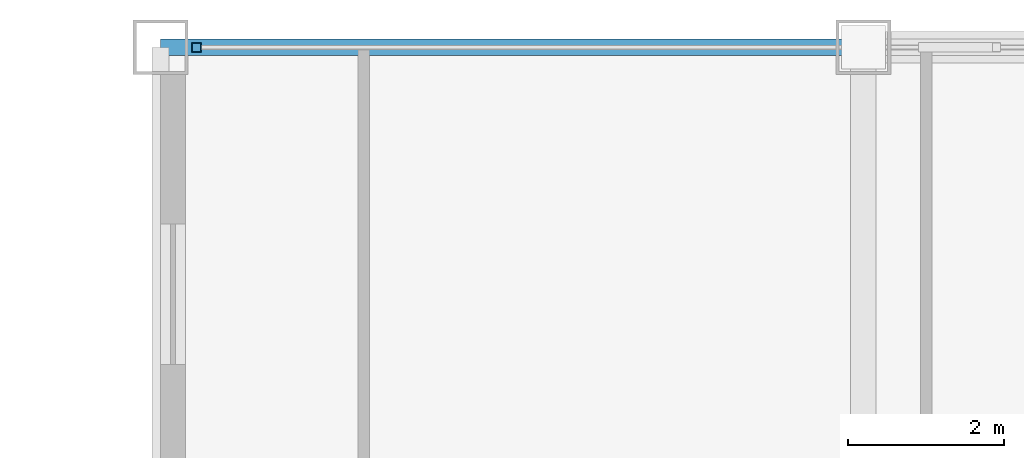
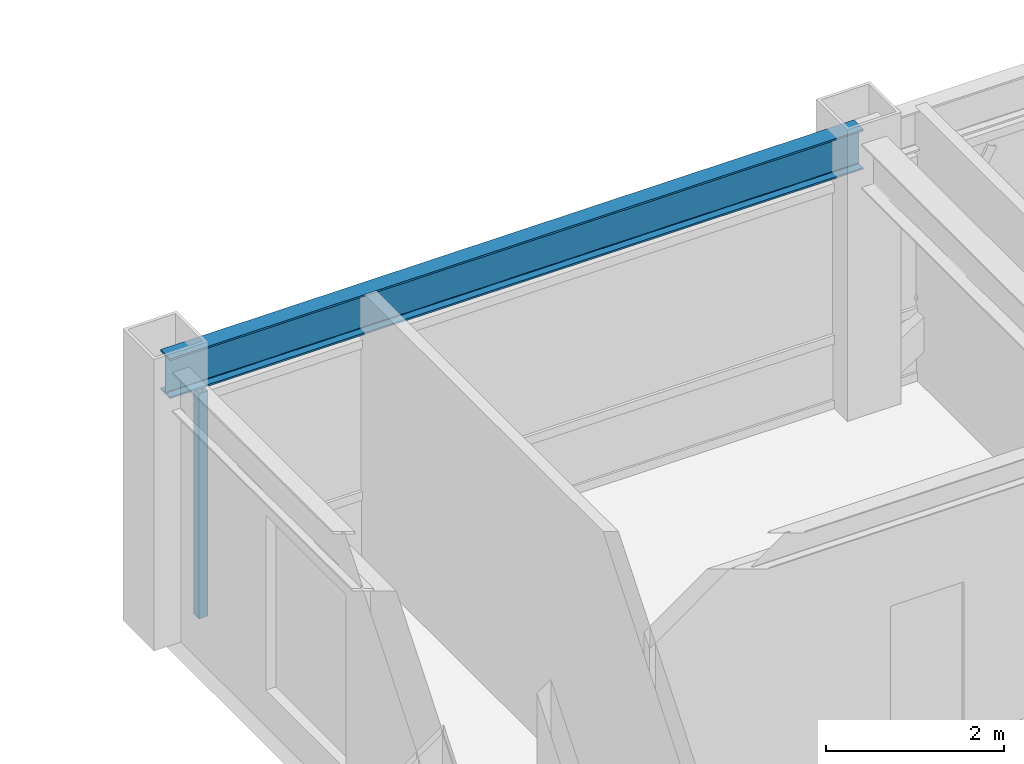
# One storey, part 16 of 29: 1 beam, 1 member, 1 element without a shape of its own.
"""IFC4 building model written with IfcOpenShell, lengths in metres."""

import ifcopenshell
import ifcopenshell.guid

model = None  # the IFC model being written
_history = None  # IfcOwnerHistory: only IFC2X3 demands one
_inside = {}  # id of a spatial element -> (the spatial element, [elements in it])
_under = {}  # id of a project, library or spatial element -> (it, [spatial elements below it])
_declared = {}  # id of a project -> (the project, [libraries it declares])
_typed = {}  # id of a type object -> (the type object, [elements of that type])
_made_of = {}  # id of a material, layer set ... -> (it, [elements and type objects made of it])


def new_model(schema):
    """Start an empty IFC model of exactly this schema.

    Asked for "IFC4X3", IfcOpenShell would pick the latest addendum, in which some entities
    have other attributes; the version numbers below select the first issue.
    IFC2X3 requires an IfcOwnerHistory on every rooted entity: one is made here for all.
    """
    global model, _history
    if schema == "IFC4X3":
        model = ifcopenshell.file(schema_version=(4, 3, 0, 0))
    else:
        model = ifcopenshell.file(schema=schema)
    _inside.clear()
    _under.clear()
    _declared.clear()
    _typed.clear()
    _made_of.clear()
    _history = None
    if model.schema == "IFC2X3":
        org = make("IfcOrganization", Name="unknown")
        user = make(
            "IfcPersonAndOrganization",
            ThePerson=make("IfcPerson", FamilyName="unknown"),
            TheOrganization=org,
        )
        app = make(
            "IfcApplication",
            ApplicationDeveloper=org,
            Version="unknown",
            ApplicationFullName="unknown",
            ApplicationIdentifier="unknown",
        )
        _history = make(
            "IfcOwnerHistory",
            OwningUser=user,
            OwningApplication=app,
            ChangeAction="ADDED",
            CreationDate=0,
        )
    return model


def make(cls, **values):
    """One entity of the class cls with the attributes given. An attribute that is None is left unset."""
    return model.create_entity(
        cls, **{name: value for name, value in values.items() if value is not None}
    )


def rooted(cls, **values):
    """An entity with a GlobalId (a new one), such as an element, a storey or a relation."""
    return make(cls, GlobalId=ifcopenshell.guid.new(), OwnerHistory=_history, **values)


def si_unit(unit_type, name, prefix=None):
    """IfcSIUnit, for example si_unit("LENGTHUNIT", "METRE", prefix="MILLI")."""
    return make("IfcSIUnit", UnitType=unit_type, Prefix=prefix, Name=name)


def assignment(units):
    """IfcUnitAssignment: the units of a project."""
    return None if units is None else make("IfcUnitAssignment", Units=units)


def point(xyz):
    """IfcCartesianPoint."""
    return None if xyz is None else make("IfcCartesianPoint", Coordinates=xyz)


def direction(xyz):
    """IfcDirection."""
    return None if xyz is None else make("IfcDirection", DirectionRatios=xyz)


def frame(location, z_axis=None, x_axis=None):
    """IfcAxis2Placement3D, a coordinate frame: its origin and axes. An axis left out is left unset."""
    return make(
        "IfcAxis2Placement3D",
        Location=point(location),
        Axis=direction(z_axis),
        RefDirection=direction(x_axis),
    )


def frame_2d(location, x_axis=None):
    """IfcAxis2Placement2D, a coordinate frame in the plane: its origin and x axis."""
    return make(
        "IfcAxis2Placement2D", Location=point(location), RefDirection=direction(x_axis)
    )


def origin():
    """The frame at (0, 0, 0) with its axes left unset."""
    return frame((0.0, 0.0, 0.0))


def origin_2d():
    """The frame at (0, 0) in the plane with its x axis left unset."""
    return frame_2d((0.0, 0.0))


def place(relative_to, where):
    """IfcLocalPlacement: puts the frame where relative to a parent placement (None: the world)."""
    return make(
        "IfcLocalPlacement", PlacementRelTo=relative_to, RelativePlacement=where
    )


def context(
    kind, dimensions, precision=None, world=None, true_north=None, identifier=None
):
    """IfcGeometricRepresentationContext, for example the 3D "Model" context."""
    return make(
        "IfcGeometricRepresentationContext",
        ContextIdentifier=identifier,
        ContextType=kind,
        CoordinateSpaceDimension=dimensions,
        Precision=precision,
        WorldCoordinateSystem=world,
        TrueNorth=true_north,
    )


def subcontext(parent, identifier, kind, view, scale=None):
    """IfcGeometricRepresentationSubContext, for example "Body" below "Model"."""
    return make(
        "IfcGeometricRepresentationSubContext",
        ContextIdentifier=identifier,
        ContextType=kind,
        ParentContext=parent,
        TargetScale=scale,
        TargetView=view,
    )


def project(units=None, contexts=None):
    """IfcProject with its units and contexts."""
    return rooted(
        "IfcProject",
        Name="project",
        RepresentationContexts=contexts,
        UnitsInContext=assignment(units),
    )


def spatial(cls, under=None, at=None, **own):
    """A site, building, storey or space (cls), placed at a placement, below another one or the project."""
    s = rooted(cls, ObjectPlacement=at, **own)
    if under is not None:
        _under.setdefault(under.id(), (under, []))[1].append(s)
    return s


def profile(cls, at=None, kind="AREA", **sizes):
    """A parametric profile (cls). Its sizes go by their IFC names, for example OverallWidth=200.0."""
    return make(cls, ProfileType=kind, Position=at, **sizes)


def hollow_rectangle(**sizes):
    """IfcRectangleHollowProfileDef."""
    return profile("IfcRectangleHollowProfileDef", **sizes)


def i_section(**sizes):
    """IfcIShapeProfileDef."""
    return profile("IfcIShapeProfileDef", **sizes)


def extrude(swept, where, along, depth):
    """IfcExtrudedAreaSolid: the profile swept, set in the frame where, extruded along a direction by depth."""
    return make(
        "IfcExtrudedAreaSolid",
        SweptArea=swept,
        Position=where,
        ExtrudedDirection=direction(along),
        Depth=depth,
    )


def shape(context_of_items, identifier, shape_type, items):
    """IfcShapeRepresentation: the items that make up one representation, for example the "Body"."""
    return make(
        "IfcShapeRepresentation",
        ContextOfItems=context_of_items,
        RepresentationIdentifier=identifier,
        RepresentationType=shape_type,
        Items=items,
    )


def source(mapping_origin, context_of_items, identifier, shape_type, items):
    """IfcRepresentationMap: a shape defined once, which mapped items show again and again."""
    return make(
        "IfcRepresentationMap",
        MappingOrigin=mapping_origin,
        MappedRepresentation=shape(context_of_items, identifier, shape_type, items),
    )


def transform(
    local_origin,
    x_axis=None,
    y_axis=None,
    z_axis=None,
    scale=None,
    scale2=None,
    scale3=None,
    uniform=True,
):
    """IfcCartesianTransformationOperator3D, or its non-uniform kind. x_axis, y_axis, z_axis: its Axis1, 2, 3."""
    if uniform:
        return make(
            "IfcCartesianTransformationOperator3D",
            Axis1=direction(x_axis),
            Axis2=direction(y_axis),
            LocalOrigin=point(local_origin),
            Scale=scale,
            Axis3=direction(z_axis),
        )
    return make(
        "IfcCartesianTransformationOperator3DnonUniform",
        Axis1=direction(x_axis),
        Axis2=direction(y_axis),
        LocalOrigin=point(local_origin),
        Scale=scale,
        Axis3=direction(z_axis),
        Scale2=scale2,
        Scale3=scale3,
    )


def mapped(mapping_source, mapping_target):
    """IfcMappedItem: shows the shape of a source again, moved by a transform."""
    return make(
        "IfcMappedItem", MappingSource=mapping_source, MappingTarget=mapping_target
    )


def material(Name=None, Category=None):
    """IfcMaterial."""
    return make("IfcMaterial", Name=Name, Category=Category)


def material_profile(
    of_material, cross_section, Name=None, Category=None, Priority=None
):
    """IfcMaterialProfile: a cross section and its material."""
    return make(
        "IfcMaterialProfile",
        Name=Name,
        Material=of_material,
        Profile=cross_section,
        Priority=Priority,
        Category=Category,
    )


def profile_set(profiles, Name=None, composite=None):
    """IfcMaterialProfileSet."""
    return make(
        "IfcMaterialProfileSet",
        Name=Name,
        MaterialProfiles=profiles,
        CompositeProfile=composite,
    )


def made_of(thing, what):
    """Note that an element or type object is made of a material, layer set ...; save() writes the relation."""
    if what is not None:
        _made_of.setdefault(what.id(), (what, []))[1].append(thing)
    return thing


def type_object(cls, material=None, **own):
    """A type object (cls), such as IfcWallType, which elements share."""
    return made_of(rooted(cls, **own), material)


def element(
    cls,
    number,
    at=None,
    inside=None,
    cuts=None,
    type_object=None,
    material=None,
    context=None,
    identifier="Body",
    shape_type=None,
    held_by="IfcProductDefinitionShape",
    body=None,
    shapes=None,
    **own,
):
    """One element of the class cls, such as IfcWall. Its Tag is "e" and its number.

    at: its placement. inside: the storey or other place that contains it. cuts: it is an
    opening in that element (IfcRelVoidsElement). A single representation is given by context,
    identifier, shape_type and body (its items); several are given by shapes. held_by: the class
    of the entity that holds the representations. save() writes the other relations.
    """
    e = rooted(cls, Tag="e%d" % number, ObjectPlacement=at, **own)
    if body is not None:
        shapes = [shape(context, identifier, shape_type, body)]
    if shapes is not None:
        e.Representation = make(held_by, Representations=shapes)
    if inside is not None:
        _inside.setdefault(inside.id(), (inside, []))[1].append(e)
    if cuts is not None:
        rooted(
            "IfcRelVoidsElement", RelatingBuildingElement=cuts, RelatedOpeningElement=e
        )
    if type_object is not None:
        _typed.setdefault(type_object.id(), (type_object, []))[1].append(e)
    return made_of(e, material)


def aggregate(whole, parts):
    """IfcRelAggregates: a whole, such as a stair, and the parts it consists of."""
    return rooted("IfcRelAggregates", RelatingObject=whole, RelatedObjects=parts)


def save(model, path):
    """Write the relations noted so far, then the file.

    IfcRelAggregates (storeys below a building ...), IfcRelContainedInSpatialStructure (elements
    in a storey), IfcRelDefinesByType, IfcRelAssociatesMaterial and IfcRelDeclares: one each for
    every whole, place, type object, material and project.
    """
    for whole, parts in _under.values():
        aggregate(whole, parts)
    for where, things in _inside.values():
        rooted(
            "IfcRelContainedInSpatialStructure",
            RelatedElements=things,
            RelatingStructure=where,
        )
    for kind, things in _typed.values():
        rooted("IfcRelDefinesByType", RelatedObjects=things, RelatingType=kind)
    for what, things in _made_of.values():
        rooted("IfcRelAssociatesMaterial", RelatedObjects=things, RelatingMaterial=what)
    for by, libraries in _declared.values():
        rooted("IfcRelDeclares", RelatingContext=by, RelatedDefinitions=libraries)
    model.write(path)


model = new_model("IFC4")

# Units and contexts
model_context = context("Model", 3, precision=1e-05, world=origin(), true_north=direction((0.0, 1.0)))
body_context = subcontext(model_context, "Body", "Model", "MODEL_VIEW")
ifc_project = project(units=[si_unit("LENGTHUNIT", "METRE"), si_unit("AREAUNIT", "SQUARE_METRE"), si_unit("VOLUMEUNIT", "CUBIC_METRE"), si_unit("PLANEANGLEUNIT", "RADIAN"), si_unit("MASSUNIT", "GRAM", prefix="KILO")], contexts=[model_context])

# Site, building, storey
site_placement = place(None, origin())
site = spatial("IfcSite", under=ifc_project, at=site_placement, CompositionType="ELEMENT")
building_placement = place(site_placement, origin())
building = spatial("IfcBuilding", under=site, at=building_placement, Name="Khorayat Bourse Tower", CompositionType="ELEMENT")
storey_placement = place(building_placement, frame((0.0, 0.0, 366.300048828125)))
storey = spatial("IfcBuildingStorey", under=building, at=storey_placement, Name="L87", CompositionType="ELEMENT", Elevation=366.300048828125)

# Beam
ifc_material_1 = material(Name="Steel ASTM A992 Grade 50", Category="steel")
ifc_material_profile_1 = material_profile(ifc_material_1, i_section(OverallWidth=0.214111328125, OverallDepth=0.549072265625, WebThickness=0.0146484375, FlangeThickness=0.023681640625, FilletRadius=0.013916015625, at=origin_2d()), Name="W530X138")
ifc_profile_set_1 = profile_set([ifc_material_profile_1], Name="Steel ASTM A992 Grade 50")
beam_type = type_object("IfcBeamType", Name="BM-SPAN-530", PredefinedType="SPANDREL", material=ifc_profile_set_1)
shared_shape_1 = source(origin(), body_context, "Body", "SweptSolid", [
    extrude(i_section(OverallWidth=0.214111328125, OverallDepth=0.549072265625, WebThickness=0.0146484375, FlangeThickness=0.023681640625, FilletRadius=0.013916015625, at=origin_2d()), origin(), (0.0, 0.0, 1.0), 9.0),
])
beam_placement = place(storey_placement, frame((-20.0, 26.0, 3.46533203125), z_axis=(1.0, 0.0, 0.0), x_axis=(0.0, 1.0, 0.0)))
element("IfcBeam", 1, at=beam_placement, inside=storey, type_object=beam_type, Name="L87 BM-SPAN-530 BM-L87-SPN-045", PredefinedType="SPANDREL", context=body_context, shape_type="MappedRepresentation", body=[
    mapped(shared_shape_1, transform((0.0, 0.0, 0.0), scale=1.0)),
])

# Curtain wall, member
ifc_material_2 = material(Name="Aluminium EN AW-6063 T6", Category="aluminium")
curtain_wall_type = type_object("IfcCurtainWallType", Name="CW-SYS-04", PredefinedType="NOTDEFINED", material=ifc_material_2)
curtain_wall_placement = place(storey_placement, origin())
curtain_wall = element("IfcCurtainWall", 2, at=curtain_wall_placement, inside=storey, type_object=curtain_wall_type, Name="L87 Curtain Wall CW-L87-N1", PredefinedType="NOTDEFINED")
ifc_material_profile_2 = material_profile(ifc_material_2, hollow_rectangle(XDim=0.1201171875, YDim=0.1201171875, WallThickness=0.0048828125, at=origin_2d()), Name="ALU 120x120x5")
ifc_profile_set_2 = profile_set([ifc_material_profile_2], Name="Aluminium EN AW-6063 T6")
member_type = type_object("IfcMemberType", Name="CWM-VERT-120", PredefinedType="MULLION", material=ifc_profile_set_2)
shared_shape_2 = source(origin(), body_context, "Body", "SweptSolid", [
    extrude(hollow_rectangle(XDim=0.1201171875, YDim=0.1201171875, WallThickness=0.0048828125, at=origin_2d()), origin(), (0.0, 0.0, 1.0), 3.08984375),
])
member_placement = place(storey_placement, frame((-19.5400390625, 26.0, 0.0), z_axis=(0.0, 0.0, 1.0), x_axis=(0.0, 1.0, 0.0)))
member = element("IfcMember", 3, at=member_placement, type_object=member_type, Name="CW-L87-N1 Vertical Mullion 1", PredefinedType="MULLION", context=body_context, shape_type="MappedRepresentation", body=[
    mapped(shared_shape_2, transform((0.0, 0.0, 0.0), scale=1.0)),
])
aggregate(curtain_wall, [member])

save(model, "model.ifc")
